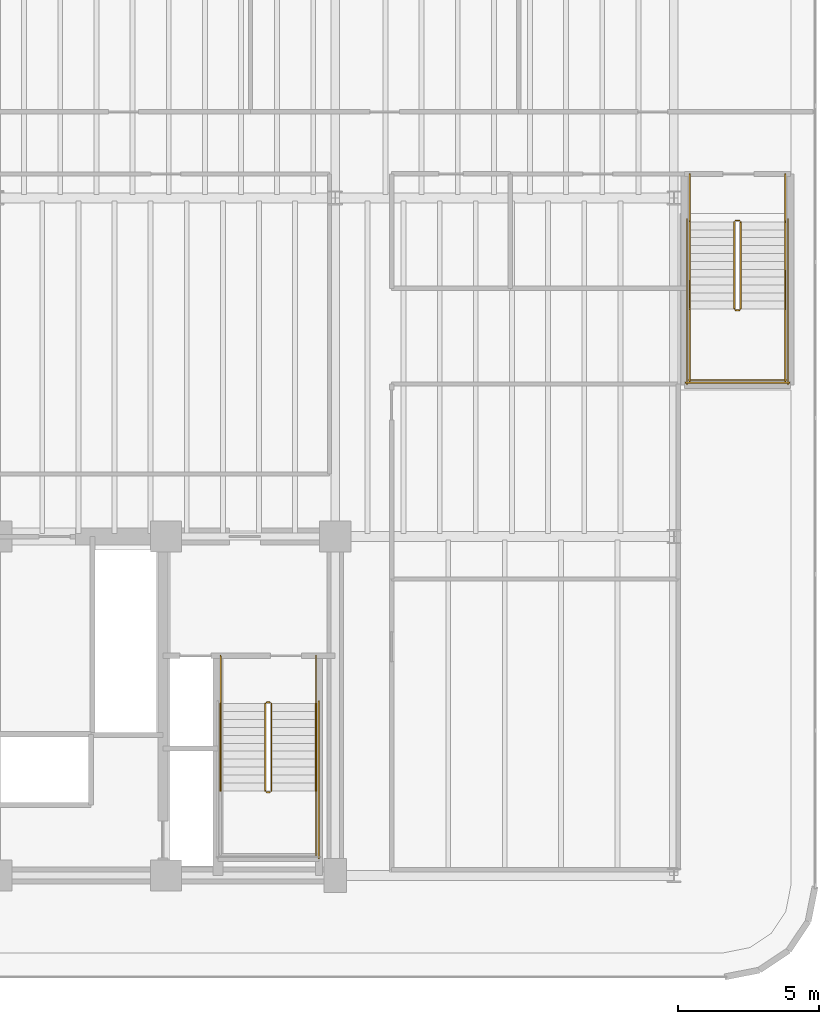
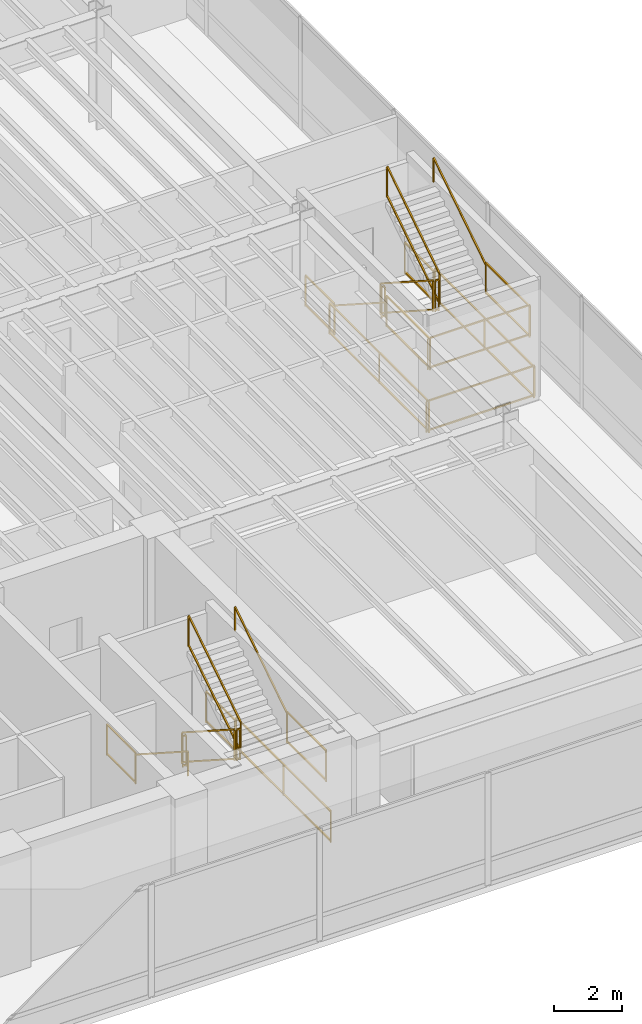
# One storey, part 18 of 18: 24 railings.
"""IFC4 building model written with IfcOpenShell, lengths in metres."""

from ifc_helpers import new_model, si_unit, direction, frame, origin, origin_2d, place, context, subcontext, project, spatial, rectangle, extrude, material, layer, layer_set, type_object, element, save


model = new_model("IFC4")

# Units and contexts
model_context = context("Model", 3, precision=1e-05, world=origin(), true_north=direction((0.0, 1.0)))
body_context = subcontext(model_context, "Body", "Model", "MODEL_VIEW")
ifc_project = project(units=[si_unit("LENGTHUNIT", "METRE"), si_unit("AREAUNIT", "SQUARE_METRE"), si_unit("VOLUMEUNIT", "CUBIC_METRE"), si_unit("PLANEANGLEUNIT", "RADIAN"), si_unit("MASSUNIT", "GRAM", prefix="KILO")], contexts=[model_context])

# Site, building, storey
site_placement = place(None, origin())
site = spatial("IfcSite", under=ifc_project, at=site_placement, CompositionType="ELEMENT")
building_placement = place(site_placement, origin())
building = spatial("IfcBuilding", under=site, at=building_placement, Name="Brelvock Crest Care Tower", CompositionType="ELEMENT")
storey_placement = place(building_placement, frame((0.0, 0.0, 5.39990234375)))
storey = spatial("IfcBuildingStorey", under=building, at=storey_placement, Name="L01", CompositionType="ELEMENT", Elevation=5.39990234375)

# Railings
ifc_material = material(Name="Steel Grade 350", Category="steel")
ifc_layer_1 = layer(ifc_material, 0.050048828125, Name="RL-STG1")
ifc_layer_set_1 = layer_set([ifc_layer_1], Name="Steel Grade 350")
railing_type_1 = type_object("IfcRailingType", Name="RL-STG1", PredefinedType="GUARDRAIL", material=ifc_layer_set_1)
railing_1_placement = place(storey_placement, frame((45.52001953125, 12.080078125, 0.18017578125)))
element("IfcRailing", 1, at=railing_1_placement, inside=storey, type_object=railing_type_1, Name="L01 ST-2 stair guard 1", PredefinedType="GUARDRAIL", context=body_context, shape_type="SweptSolid", body=[
    extrude(rectangle(XDim=0.048095703125, YDim=0.048095703125, at=origin_2d()), frame((0.0, -0.001708984375, 1.116943359375), z_axis=(0.0, -0.84118714077, 0.540744111576), x_axis=(1.0, 0.0, 0.0)), (0.0, 0.0, 1.0), 3.657470703125),
    extrude(rectangle(XDim=0.048095703125, YDim=0.048095703125, at=origin_2d()), frame((0.0, -0.001708984375, 0.05615234375), z_axis=(0.0, -0.84118714077, 0.540744111576), x_axis=(1.0, 0.0, 0.0)), (0.0, 0.0, 1.0), 3.657470703125),
    extrude(rectangle(XDim=0.0419921875, YDim=0.0419921875, at=origin_2d()), origin(), (0.0, 0.0, 1.0), 1.08984375),
    extrude(rectangle(XDim=0.0419921875, YDim=0.0419921875, at=origin_2d()), frame((0.0, -3.080078125, 1.97998046875)), (0.0, 0.0, 1.0), 1.08984375),
])
railing_2_placement = place(storey_placement, frame((45.570068359375, 8.949951171875, 2.16015625)))
element("IfcRailing", 2, at=railing_2_placement, inside=storey, type_object=railing_type_1, Name="L01 ST-2 stair guard 2", PredefinedType="GUARDRAIL", context=body_context, shape_type="SweptSolid", body=[
    extrude(rectangle(XDim=0.048095703125, YDim=0.048095703125, at=origin_2d()), frame((0.001953125, 0.0, 1.11572265625), z_axis=(1.0, 0.0, 0.0), x_axis=(0.0, 1.0, 0.0)), (0.0, 0.0, 1.0), 0.115966796875),
    extrude(rectangle(XDim=0.048095703125, YDim=0.048095703125, at=origin_2d()), frame((0.001953125, 0.0, 0.054931640625), z_axis=(1.0, 0.0, 0.0), x_axis=(0.0, 1.0, 0.0)), (0.0, 0.0, 1.0), 0.115966796875),
    extrude(rectangle(XDim=0.0419921875, YDim=0.0419921875, at=origin_2d()), origin(), (0.0, 0.0, 1.0), 1.08984375),
    extrude(rectangle(XDim=0.0419921875, YDim=0.0419921875, at=origin_2d()), frame((0.119873046875, 0.0, 0.0)), (0.0, 0.0, 1.0), 1.08984375),
])
railing_3_placement = place(storey_placement, frame((47.320068359375, 9.0, 2.16015625)))
element("IfcRailing", 3, at=railing_3_placement, inside=storey, type_object=railing_type_1, Name="L01 ST-2 stair guard 4", PredefinedType="GUARDRAIL", context=body_context, shape_type="SweptSolid", body=[
    extrude(rectangle(XDim=0.048095703125, YDim=0.048095703125, at=origin_2d()), frame((0.0, -0.001953125, 1.11572265625), z_axis=(0.0, -1.0, 0.0), x_axis=(1.0, 0.0, 0.0)), (0.0, 0.0, 1.0), 2.296142578125),
    extrude(rectangle(XDim=0.048095703125, YDim=0.048095703125, at=origin_2d()), frame((0.0, -0.001953125, 0.054931640625), z_axis=(0.0, -1.0, 0.0), x_axis=(1.0, 0.0, 0.0)), (0.0, 0.0, 1.0), 2.296142578125),
    extrude(rectangle(XDim=0.0419921875, YDim=0.0419921875, at=origin_2d()), origin(), (0.0, 0.0, 1.0), 1.08984375),
    extrude(rectangle(XDim=0.0419921875, YDim=0.0419921875, at=origin_2d()), frame((0.0, -2.300048828125, 0.0)), (0.0, 0.0, 1.0), 1.08984375),
])
railing_4_placement = place(storey_placement, frame((45.739990234375, 9.0, 2.340087890625)))
element("IfcRailing", 4, at=railing_4_placement, inside=storey, type_object=railing_type_1, Name="L01 ST-2 stair guard 6", PredefinedType="GUARDRAIL", context=body_context, shape_type="SweptSolid", body=[
    extrude(rectangle(XDim=0.048095703125, YDim=0.048095703125, at=origin_2d()), frame((0.0, 0.001708984375, 1.116943359375), z_axis=(0.0, 0.84118714077, 0.540744111576), x_axis=(-1.0, 0.0, 0.0)), (0.0, 0.0, 1.0), 3.657470703125),
    extrude(rectangle(XDim=0.048095703125, YDim=0.048095703125, at=origin_2d()), frame((0.0, 0.001708984375, 0.05615234375), z_axis=(0.0, 0.84118714077, 0.540744111576), x_axis=(-1.0, 0.0, 0.0)), (0.0, 0.0, 1.0), 3.657470703125),
    extrude(rectangle(XDim=0.0419921875, YDim=0.0419921875, at=origin_2d()), origin(), (0.0, 0.0, 1.0), 1.08984375),
    extrude(rectangle(XDim=0.0419921875, YDim=0.0419921875, at=origin_2d()), frame((0.0, 3.080078125, 1.97998046875)), (0.0, 0.0, 1.0), 1.08984375),
])
railing_5_placement = place(storey_placement, frame((45.570068359375, 12.1298828125, 0.0)))
element("IfcRailing", 5, at=railing_5_placement, inside=storey, type_object=railing_type_1, Name="L01 ST-2 stair guard 7", PredefinedType="GUARDRAIL", context=body_context, shape_type="SweptSolid", body=[
    extrude(rectangle(XDim=0.048095703125, YDim=0.048095703125, at=origin_2d()), frame((0.001953125, 0.0, 1.11572265625), z_axis=(1.0, 0.0, 0.0), x_axis=(0.0, 1.0, 0.0)), (0.0, 0.0, 1.0), 0.115966796875),
    extrude(rectangle(XDim=0.048095703125, YDim=0.048095703125, at=origin_2d()), frame((0.001953125, 0.0, 0.054931640625), z_axis=(1.0, 0.0, 0.0), x_axis=(0.0, 1.0, 0.0)), (0.0, 0.0, 1.0), 0.115966796875),
    extrude(rectangle(XDim=0.0419921875, YDim=0.0419921875, at=origin_2d()), origin(), (0.0, 0.0, 1.0), 1.08984375),
    extrude(rectangle(XDim=0.0419921875, YDim=0.0419921875, at=origin_2d()), frame((0.119873046875, 0.0, 0.0)), (0.0, 0.0, 1.0), 1.08984375),
])
for number, where, name in (
    (6, (43.93994140625, 13.780029296875, 0.0), "L01 ST-2 stair guard 8"),
    (7, (47.320068359375, 13.780029296875, 0.0), "L01 ST-2 stair guard 9"),
):
    element("IfcRailing", number, at=place(storey_placement, frame(where)), inside=storey, type_object=railing_type_1, Name=name, PredefinedType="GUARDRAIL", context=body_context, shape_type="SweptSolid", body=[
        extrude(rectangle(XDim=0.048095703125, YDim=0.048095703125, at=origin_2d()), frame((0.0, -0.001953125, 1.11572265625), z_axis=(0.0, -1.0, 0.0), x_axis=(1.0, 0.0, 0.0)), (0.0, 0.0, 1.0), 1.696044921875),
        extrude(rectangle(XDim=0.048095703125, YDim=0.048095703125, at=origin_2d()), frame((0.0, -0.001953125, 0.054931640625), z_axis=(0.0, -1.0, 0.0), x_axis=(1.0, 0.0, 0.0)), (0.0, 0.0, 1.0), 1.696044921875),
        extrude(rectangle(XDim=0.0419921875, YDim=0.0419921875, at=origin_2d()), origin(), (0.0, 0.0, 1.0), 1.08984375),
        extrude(rectangle(XDim=0.0419921875, YDim=0.0419921875, at=origin_2d()), frame((0.0, -1.699951171875, 0.0)), (0.0, 0.0, 1.0), 1.08984375),
    ])
railing_6_placement = place(storey_placement, frame((47.419921875, 12.179931640625, 0.0)))
element("IfcRailing", 8, at=railing_6_placement, inside=storey, type_object=railing_type_1, Name="L01 ST-2 stair guard 11", PredefinedType="GUARDRAIL", context=body_context, shape_type="SweptSolid", body=[
    extrude(rectangle(XDim=0.048095703125, YDim=0.048095703125, at=origin_2d()), frame((0.0, -0.001953125, 1.11572265625), z_axis=(0.0, -1.0, 0.0), x_axis=(1.0, 0.0, 0.0)), (0.0, 0.0, 1.0), 5.575927734375),
    extrude(rectangle(XDim=0.048095703125, YDim=0.048095703125, at=origin_2d()), frame((0.0, -0.001953125, 0.054931640625), z_axis=(0.0, -1.0, 0.0), x_axis=(1.0, 0.0, 0.0)), (0.0, 0.0, 1.0), 5.575927734375),
    extrude(rectangle(XDim=0.0419921875, YDim=0.0419921875, at=origin_2d()), origin(), (0.0, 0.0, 1.0), 1.08984375),
    extrude(rectangle(XDim=0.0419921875, YDim=0.0419921875, at=origin_2d()), frame((0.0, -2.7900390625, 0.0)), (0.0, 0.0, 1.0), 1.08984375),
    extrude(rectangle(XDim=0.0419921875, YDim=0.0419921875, at=origin_2d()), frame((0.0, -5.579833984375, 0.0)), (0.0, 0.0, 1.0), 1.08984375),
])
railing_7_placement = place(storey_placement, frame((62.139892578125, 29.14990234375, 0.18017578125)))
element("IfcRailing", 9, at=railing_7_placement, inside=storey, type_object=railing_type_1, Name="L01 ST-4 stair guard 1", PredefinedType="GUARDRAIL", context=body_context, shape_type="SweptSolid", body=[
    extrude(rectangle(XDim=0.048095703125, YDim=0.048095703125, at=origin_2d()), frame((0.0, -0.001708984375, 1.116943359375), z_axis=(0.0, -0.841167642724, 0.540774441735), x_axis=(1.0, 0.0, 0.0)), (0.0, 0.0, 1.0), 3.657470703125),
    extrude(rectangle(XDim=0.048095703125, YDim=0.048095703125, at=origin_2d()), frame((0.0, -0.001708984375, 0.05615234375), z_axis=(0.0, -0.841167642724, 0.540774441735), x_axis=(1.0, 0.0, 0.0)), (0.0, 0.0, 1.0), 3.657470703125),
    extrude(rectangle(XDim=0.0419921875, YDim=0.0419921875, at=origin_2d()), origin(), (0.0, 0.0, 1.0), 1.08984375),
    extrude(rectangle(XDim=0.0419921875, YDim=0.0419921875, at=origin_2d()), frame((0.0, -3.079833984375, 1.97998046875)), (0.0, 0.0, 1.0), 1.08984375),
])
railing_8_placement = place(storey_placement, frame((62.18994140625, 26.02001953125, 2.16015625)))
element("IfcRailing", 10, at=railing_8_placement, inside=storey, type_object=railing_type_1, Name="L01 ST-4 stair guard 2", PredefinedType="GUARDRAIL", context=body_context, shape_type="SweptSolid", body=[
    extrude(rectangle(XDim=0.048095703125, YDim=0.048095703125, at=origin_2d()), frame((0.001953125, 0.0, 1.11572265625), z_axis=(1.0, 0.0, 0.0), x_axis=(0.0, 1.0, 0.0)), (0.0, 0.0, 1.0), 0.1162109375),
    extrude(rectangle(XDim=0.048095703125, YDim=0.048095703125, at=origin_2d()), frame((0.001953125, 0.0, 0.054931640625), z_axis=(1.0, 0.0, 0.0), x_axis=(0.0, 1.0, 0.0)), (0.0, 0.0, 1.0), 0.1162109375),
    extrude(rectangle(XDim=0.0419921875, YDim=0.0419921875, at=origin_2d()), origin(), (0.0, 0.0, 1.0), 1.08984375),
    extrude(rectangle(XDim=0.0419921875, YDim=0.0419921875, at=origin_2d()), frame((0.1201171875, 0.0, 0.0)), (0.0, 0.0, 1.0), 1.08984375),
])
for number, where, name in (
    (11, (60.56005859375, 26.070068359375, 2.16015625), "L01 ST-4 stair guard 3"),
    (12, (63.93994140625, 26.070068359375, 2.16015625), "L01 ST-4 stair guard 4"),
):
    element("IfcRailing", number, at=place(storey_placement, frame(where)), inside=storey, type_object=railing_type_1, Name=name, PredefinedType="GUARDRAIL", context=body_context, shape_type="SweptSolid", body=[
        extrude(rectangle(XDim=0.048095703125, YDim=0.048095703125, at=origin_2d()), frame((0.0, -0.001953125, 1.11572265625), z_axis=(0.0, -1.0, 0.0), x_axis=(1.0, 0.0, 0.0)), (0.0, 0.0, 1.0), 2.566162109375),
        extrude(rectangle(XDim=0.048095703125, YDim=0.048095703125, at=origin_2d()), frame((0.0, -0.001953125, 0.054931640625), z_axis=(0.0, -1.0, 0.0), x_axis=(1.0, 0.0, 0.0)), (0.0, 0.0, 1.0), 2.566162109375),
        extrude(rectangle(XDim=0.0419921875, YDim=0.0419921875, at=origin_2d()), origin(), (0.0, 0.0, 1.0), 1.08984375),
        extrude(rectangle(XDim=0.0419921875, YDim=0.0419921875, at=origin_2d()), frame((0.0, -2.570068359375, 0.0)), (0.0, 0.0, 1.0), 1.08984375),
    ])
railing_9_placement = place(storey_placement, frame((60.510009765625, 23.550048828125, 2.16015625)))
element("IfcRailing", 13, at=railing_9_placement, inside=storey, type_object=railing_type_1, Name="L01 ST-4 stair guard 5", PredefinedType="GUARDRAIL", context=body_context, shape_type="SweptSolid", body=[
    extrude(rectangle(XDim=0.048095703125, YDim=0.048095703125, at=origin_2d()), frame((0.001953125, 0.0, 1.11572265625), z_axis=(1.0, 0.0, 0.0), x_axis=(0.0, 1.0, 0.0)), (0.0, 0.0, 1.0), 3.47607421875),
    extrude(rectangle(XDim=0.048095703125, YDim=0.048095703125, at=origin_2d()), frame((0.001953125, 0.0, 0.054931640625), z_axis=(1.0, 0.0, 0.0), x_axis=(0.0, 1.0, 0.0)), (0.0, 0.0, 1.0), 3.47607421875),
    extrude(rectangle(XDim=0.0419921875, YDim=0.0419921875, at=origin_2d()), origin(), (0.0, 0.0, 1.0), 1.08984375),
    extrude(rectangle(XDim=0.0419921875, YDim=0.0419921875, at=origin_2d()), frame((3.47998046875, 0.0, 0.0)), (0.0, 0.0, 1.0), 1.08984375),
])
railing_10_placement = place(storey_placement, frame((62.360107421875, 26.070068359375, 2.340087890625)))
element("IfcRailing", 14, at=railing_10_placement, inside=storey, type_object=railing_type_1, Name="L01 ST-4 stair guard 6", PredefinedType="GUARDRAIL", context=body_context, shape_type="SweptSolid", body=[
    extrude(rectangle(XDim=0.048095703125, YDim=0.048095703125, at=origin_2d()), frame((0.0, 0.001708984375, 1.116943359375), z_axis=(0.0, 0.841167642724, 0.540774441735), x_axis=(-1.0, 0.0, 0.0)), (0.0, 0.0, 1.0), 3.657470703125),
    extrude(rectangle(XDim=0.048095703125, YDim=0.048095703125, at=origin_2d()), frame((0.0, 0.001708984375, 0.05615234375), z_axis=(0.0, 0.841167642724, 0.540774441735), x_axis=(-1.0, 0.0, 0.0)), (0.0, 0.0, 1.0), 3.657470703125),
    extrude(rectangle(XDim=0.0419921875, YDim=0.0419921875, at=origin_2d()), origin(), (0.0, 0.0, 1.0), 1.08984375),
    extrude(rectangle(XDim=0.0419921875, YDim=0.0419921875, at=origin_2d()), frame((0.0, 3.079833984375, 1.97998046875)), (0.0, 0.0, 1.0), 1.08984375),
])
railing_11_placement = place(storey_placement, frame((62.18994140625, 29.199951171875, 0.0)))
element("IfcRailing", 15, at=railing_11_placement, inside=storey, type_object=railing_type_1, Name="L01 ST-4 stair guard 7", PredefinedType="GUARDRAIL", context=body_context, shape_type="SweptSolid", body=[
    extrude(rectangle(XDim=0.048095703125, YDim=0.048095703125, at=origin_2d()), frame((0.001953125, 0.0, 1.11572265625), z_axis=(1.0, 0.0, 0.0), x_axis=(0.0, 1.0, 0.0)), (0.0, 0.0, 1.0), 0.1162109375),
    extrude(rectangle(XDim=0.048095703125, YDim=0.048095703125, at=origin_2d()), frame((0.001953125, 0.0, 0.054931640625), z_axis=(1.0, 0.0, 0.0), x_axis=(0.0, 1.0, 0.0)), (0.0, 0.0, 1.0), 0.1162109375),
    extrude(rectangle(XDim=0.0419921875, YDim=0.0419921875, at=origin_2d()), origin(), (0.0, 0.0, 1.0), 1.08984375),
    extrude(rectangle(XDim=0.0419921875, YDim=0.0419921875, at=origin_2d()), frame((0.1201171875, 0.0, 0.0)), (0.0, 0.0, 1.0), 1.08984375),
])
for number, where, name in (
    (16, (60.56005859375, 30.85009765625, 0.0), "L01 ST-4 stair guard 8"),
    (17, (63.93994140625, 30.85009765625, 0.0), "L01 ST-4 stair guard 9"),
):
    element("IfcRailing", number, at=place(storey_placement, frame(where)), inside=storey, type_object=railing_type_1, Name=name, PredefinedType="GUARDRAIL", context=body_context, shape_type="SweptSolid", body=[
        extrude(rectangle(XDim=0.048095703125, YDim=0.048095703125, at=origin_2d()), frame((0.0, -0.001953125, 1.11572265625), z_axis=(0.0, -1.0, 0.0), x_axis=(1.0, 0.0, 0.0)), (0.0, 0.0, 1.0), 1.6962890625),
        extrude(rectangle(XDim=0.048095703125, YDim=0.048095703125, at=origin_2d()), frame((0.0, -0.001953125, 0.054931640625), z_axis=(0.0, -1.0, 0.0), x_axis=(1.0, 0.0, 0.0)), (0.0, 0.0, 1.0), 1.6962890625),
        extrude(rectangle(XDim=0.0419921875, YDim=0.0419921875, at=origin_2d()), origin(), (0.0, 0.0, 1.0), 1.08984375),
        extrude(rectangle(XDim=0.0419921875, YDim=0.0419921875, at=origin_2d()), frame((0.0, -1.7001953125, 0.0)), (0.0, 0.0, 1.0), 1.08984375),
    ])
for number, where, name in (
    (18, (60.4599609375, 29.25, 0.0), "L01 ST-4 stair guard 10"),
    (19, (64.0400390625, 29.25, 0.0), "L01 ST-4 stair guard 11"),
):
    element("IfcRailing", number, at=place(storey_placement, frame(where)), inside=storey, type_object=railing_type_1, Name=name, PredefinedType="GUARDRAIL", context=body_context, shape_type="SweptSolid", body=[
        extrude(rectangle(XDim=0.048095703125, YDim=0.048095703125, at=origin_2d()), frame((0.0, -0.001953125, 1.11572265625), z_axis=(0.0, -1.0, 0.0), x_axis=(1.0, 0.0, 0.0)), (0.0, 0.0, 1.0), 5.84619140625),
        extrude(rectangle(XDim=0.048095703125, YDim=0.048095703125, at=origin_2d()), frame((0.0, -0.001953125, 0.054931640625), z_axis=(0.0, -1.0, 0.0), x_axis=(1.0, 0.0, 0.0)), (0.0, 0.0, 1.0), 5.84619140625),
        extrude(rectangle(XDim=0.0419921875, YDim=0.0419921875, at=origin_2d()), origin(), (0.0, 0.0, 1.0), 1.08984375),
        extrude(rectangle(XDim=0.0419921875, YDim=0.0419921875, at=origin_2d()), frame((0.0, -2.925048828125, 0.0)), (0.0, 0.0, 1.0), 1.08984375),
        extrude(rectangle(XDim=0.0419921875, YDim=0.0419921875, at=origin_2d()), frame((0.0, -5.85009765625, 0.0)), (0.0, 0.0, 1.0), 1.08984375),
    ])
railing_12_placement = place(storey_placement, frame((60.409912109375, 23.449951171875, 0.0)))
element("IfcRailing", 20, at=railing_12_placement, inside=storey, type_object=railing_type_1, Name="L01 ST-4 stair guard 12", PredefinedType="GUARDRAIL", context=body_context, shape_type="SweptSolid", body=[
    extrude(rectangle(XDim=0.048095703125, YDim=0.048095703125, at=origin_2d()), frame((0.001953125, 0.0, 1.11572265625), z_axis=(1.0, 0.0, 0.0), x_axis=(0.0, 1.0, 0.0)), (0.0, 0.0, 1.0), 3.67626953125),
    extrude(rectangle(XDim=0.048095703125, YDim=0.048095703125, at=origin_2d()), frame((0.001953125, 0.0, 0.054931640625), z_axis=(1.0, 0.0, 0.0), x_axis=(0.0, 1.0, 0.0)), (0.0, 0.0, 1.0), 3.67626953125),
    extrude(rectangle(XDim=0.0419921875, YDim=0.0419921875, at=origin_2d()), origin(), (0.0, 0.0, 1.0), 1.08984375),
    extrude(rectangle(XDim=0.0419921875, YDim=0.0419921875, at=origin_2d()), frame((3.68017578125, 0.0, 0.0)), (0.0, 0.0, 1.0), 1.08984375),
])
ifc_layer_2 = layer(ifc_material, 0.048095703125, Name="RL-STH1")
ifc_layer_set_2 = layer_set([ifc_layer_2], Name="Steel Grade 350")
railing_type_2 = type_object("IfcRailingType", Name="RL-STH1", PredefinedType="HANDRAIL", material=ifc_layer_set_2)
railing_13_placement = place(storey_placement, frame((43.93994140625, 12.080078125, 0.18017578125)))
element("IfcRailing", 21, at=railing_13_placement, inside=storey, type_object=railing_type_2, Name="L01 ST-2 stair handrail 1", PredefinedType="HANDRAIL", context=body_context, shape_type="SweptSolid", body=[
    extrude(rectangle(XDim=0.048095703125, YDim=0.048095703125, at=origin_2d()), frame((0.0, -0.001708984375, 0.876953125), z_axis=(0.0, -0.84118714077, 0.540744111576), x_axis=(1.0, 0.0, 0.0)), (0.0, 0.0, 1.0), 3.657470703125),
    extrude(rectangle(XDim=0.0419921875, YDim=0.0419921875, at=origin_2d()), origin(), (0.0, 0.0, 1.0), 0.849853515625),
    extrude(rectangle(XDim=0.0419921875, YDim=0.0419921875, at=origin_2d()), frame((0.0, -3.080078125, 1.97998046875)), (0.0, 0.0, 1.0), 0.849853515625),
])
railing_14_placement = place(storey_placement, frame((47.320068359375, 9.0, 2.340087890625)))
element("IfcRailing", 22, at=railing_14_placement, inside=storey, type_object=railing_type_2, Name="L01 ST-2 stair handrail 2", PredefinedType="HANDRAIL", context=body_context, shape_type="SweptSolid", body=[
    extrude(rectangle(XDim=0.048095703125, YDim=0.048095703125, at=origin_2d()), frame((0.0, 0.001708984375, 0.876953125), z_axis=(0.0, 0.84118714077, 0.540744111576), x_axis=(-1.0, 0.0, 0.0)), (0.0, 0.0, 1.0), 3.657470703125),
    extrude(rectangle(XDim=0.0419921875, YDim=0.0419921875, at=origin_2d()), origin(), (0.0, 0.0, 1.0), 0.849853515625),
    extrude(rectangle(XDim=0.0419921875, YDim=0.0419921875, at=origin_2d()), frame((0.0, 3.080078125, 1.97998046875)), (0.0, 0.0, 1.0), 0.849853515625),
])
railing_15_placement = place(storey_placement, frame((60.56005859375, 29.14990234375, 0.18017578125)))
element("IfcRailing", 23, at=railing_15_placement, inside=storey, type_object=railing_type_2, Name="L01 ST-4 stair handrail 1", PredefinedType="HANDRAIL", context=body_context, shape_type="SweptSolid", body=[
    extrude(rectangle(XDim=0.048095703125, YDim=0.048095703125, at=origin_2d()), frame((0.0, -0.001708984375, 0.876953125), z_axis=(0.0, -0.841167642724, 0.540774441735), x_axis=(1.0, 0.0, 0.0)), (0.0, 0.0, 1.0), 3.657470703125),
    extrude(rectangle(XDim=0.0419921875, YDim=0.0419921875, at=origin_2d()), origin(), (0.0, 0.0, 1.0), 0.849853515625),
    extrude(rectangle(XDim=0.0419921875, YDim=0.0419921875, at=origin_2d()), frame((0.0, -3.079833984375, 1.97998046875)), (0.0, 0.0, 1.0), 0.849853515625),
])
railing_16_placement = place(storey_placement, frame((63.93994140625, 26.070068359375, 2.340087890625)))
element("IfcRailing", 24, at=railing_16_placement, inside=storey, type_object=railing_type_2, Name="L01 ST-4 stair handrail 2", PredefinedType="HANDRAIL", context=body_context, shape_type="SweptSolid", body=[
    extrude(rectangle(XDim=0.048095703125, YDim=0.048095703125, at=origin_2d()), frame((0.0, 0.001708984375, 0.876953125), z_axis=(0.0, 0.841167642724, 0.540774441735), x_axis=(-1.0, 0.0, 0.0)), (0.0, 0.0, 1.0), 3.657470703125),
    extrude(rectangle(XDim=0.0419921875, YDim=0.0419921875, at=origin_2d()), origin(), (0.0, 0.0, 1.0), 0.849853515625),
    extrude(rectangle(XDim=0.0419921875, YDim=0.0419921875, at=origin_2d()), frame((0.0, 3.079833984375, 1.97998046875)), (0.0, 0.0, 1.0), 0.849853515625),
])

save(model, "model.ifc")
